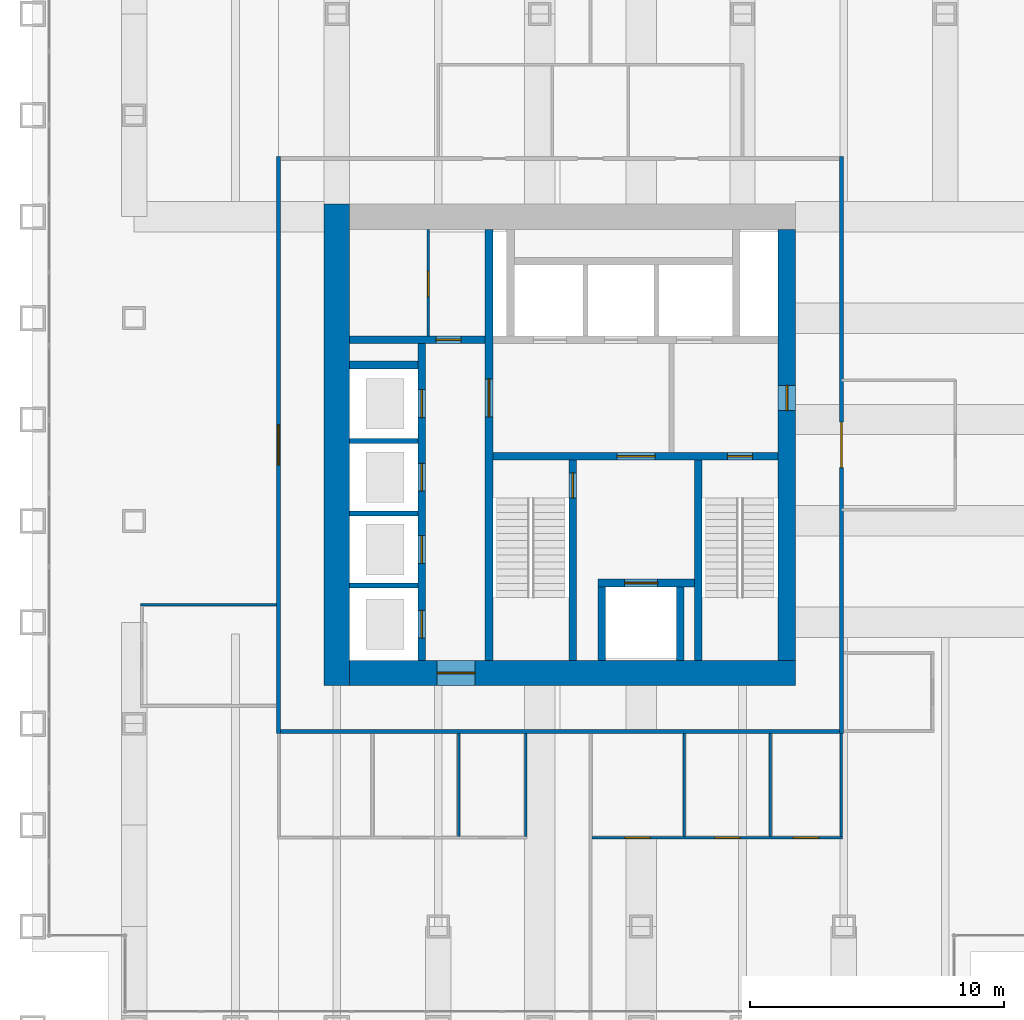
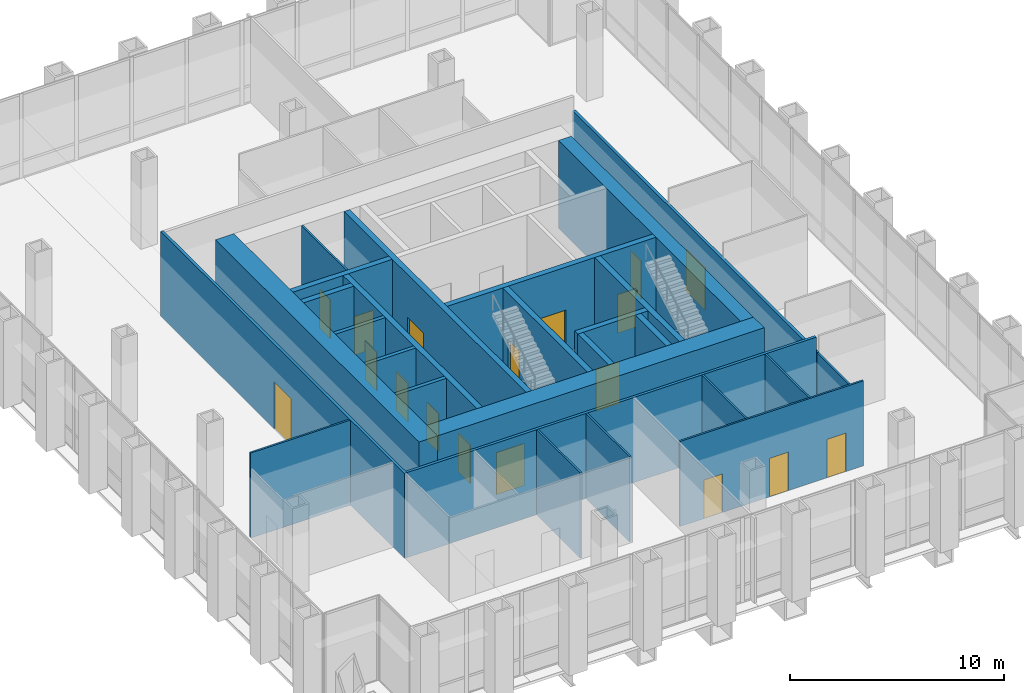
# One storey, part 10 of 13: 27 walls, 18 doors, 18 openings.
"""IFC4 building model written with IfcOpenShell, lengths in metres."""

from ifc_helpers import new_model, si_unit, direction, frame, frame_2d, origin, place, context, subcontext, project, spatial, rectangle, extrude, material, layer, layer_set, type_object, element, fill, save


model = new_model("IFC4")

# Units and contexts
model_context = context("Model", 3, precision=1e-05, world=origin(), true_north=direction((0.0, 1.0)))
body_context = subcontext(model_context, "Body", "Model", "MODEL_VIEW")
ifc_project = project(units=[si_unit("LENGTHUNIT", "METRE"), si_unit("AREAUNIT", "SQUARE_METRE"), si_unit("VOLUMEUNIT", "CUBIC_METRE"), si_unit("PLANEANGLEUNIT", "RADIAN"), si_unit("MASSUNIT", "GRAM", prefix="KILO")], contexts=[model_context])

# Site, building, storey
site_placement = place(None, origin())
site = spatial("IfcSite", under=ifc_project, at=site_placement, CompositionType="ELEMENT")
building_placement = place(site_placement, origin())
building = spatial("IfcBuilding", under=site, at=building_placement, Name="Rimbunsela Tower", CompositionType="ELEMENT")
storey_placement = place(building_placement, frame((0.0, 0.0, 142.800048828125)))
storey = spatial("IfcBuildingStorey", under=building, at=storey_placement, Name="L34", CompositionType="ELEMENT", Elevation=142.800048828125)

# Wall, opening, door
ifc_material_1 = material(Name="Concrete fc' 80 MPa", Category="concrete")
ifc_layer_1 = layer(ifc_material_1, 0.300048828125)
ifc_layer_set_1 = layer_set([ifc_layer_1], Name="Core internal wall 300")
wall_type_1 = type_object("IfcWallType", Name="Core internal wall 300", PredefinedType="SHEAR", material=ifc_layer_set_1)
wall_1_placement = place(storey_placement, frame((24.0, 18.5, -0.150146484375), z_axis=(0.0, 0.0, 1.0), x_axis=(0.0, 1.0, 0.0)))
wall_1 = element("IfcWall", 1, at=wall_1_placement, inside=storey, type_object=wall_type_1, Name="Core wall at stair A", PredefinedType="SHEAR", context=body_context, shape_type="SweptSolid", body=[
    extrude(rectangle(XDim=17.0, YDim=0.300048828125, at=frame_2d((8.5, 0.0))), origin(), (0.0, 0.0, 1.0), 5.0),
])
opening_1_placement = place(wall_1_placement, frame((9.60009765625, 0.0, 0.14990234375)))
opening_1 = element("IfcOpeningElement", 2, at=opening_1_placement, cuts=wall_1, Name="Opening D03", PredefinedType="OPENING", context=body_context, shape_type="SweptSolid", body=[
    extrude(rectangle(XDim=1.5, YDim=2.39990234375, at=frame_2d((0.75, 1.199951171875))), frame((0.0, 0.159912109375, 0.0), z_axis=(0.0, -1.0, 0.0), x_axis=(1.0, 0.0, 0.0)), (0.0, 0.0, 1.0), 0.320068359375),
])
ifc_material_2 = material(Name="Steel door, fire rated", Category="steel")
door_type_1 = type_object("IfcDoorType", Name="Core lobby door 1500", OperationType="DOUBLE_DOOR_DOUBLE_SWING", PredefinedType="DOOR", material=ifc_material_2)
door_1_placement = place(opening_1_placement, origin())
door_1 = element("IfcDoor", 3, at=door_1_placement, inside=storey, type_object=door_type_1, Name="West lobby door", OperationType="DOUBLE_DOOR_DOUBLE_SWING", OverallHeight=2.39990234375, OverallWidth=1.5, PredefinedType="DOOR", context=body_context, shape_type="SweptSolid", body=[
    extrude(rectangle(XDim=1.5, YDim=2.39990234375, at=frame_2d((0.75, 1.199951171875))), frame((0.0, 0.02490234375, 0.0), z_axis=(0.0, -1.0, 0.0), x_axis=(1.0, 0.0, 0.0)), (0.0, 0.0, 1.0), 0.050048828125),
])
fill(opening_1, door_1)

# Wall, openings, doors
wall_2_placement = place(storey_placement, frame((24.14990234375, 26.550048828125, -0.150146484375), z_axis=(0.0, 0.0, 1.0), x_axis=(1.0, 0.0, 0.0)))
wall_2 = element("IfcWall", 4, at=wall_2_placement, inside=storey, type_object=wall_type_1, Name="Core wall lobby south", PredefinedType="SHEAR", context=body_context, shape_type="SweptSolid", body=[
    extrude(rectangle(XDim=11.25, YDim=0.300048828125, at=frame_2d((5.625, 0.0))), origin(), (0.0, 0.0, 1.0), 5.0),
])
opening_2_placement = place(wall_2_placement, frame((9.25, 0.0, 0.14990234375)))
opening_2 = element("IfcOpeningElement", 5, at=opening_2_placement, cuts=wall_2, Name="Opening D01", PredefinedType="OPENING", context=body_context, shape_type="SweptSolid", body=[
    extrude(rectangle(XDim=1.0, YDim=2.199951171875, at=frame_2d((0.5, 1.10009765625))), frame((0.0, 0.159912109375, 0.0), z_axis=(0.0, -1.0, 0.0), x_axis=(1.0, 0.0, 0.0)), (0.0, 0.0, 1.0), 0.320068359375),
])
opening_3_placement = place(wall_2_placement, frame((4.89990234375, 0.0, 0.14990234375)))
opening_3 = element("IfcOpeningElement", 6, at=opening_3_placement, cuts=wall_2, Name="Opening D03", PredefinedType="OPENING", context=body_context, shape_type="SweptSolid", body=[
    extrude(rectangle(XDim=1.5, YDim=2.39990234375, at=frame_2d((0.75, 1.199951171875))), frame((0.0, 0.159912109375, 0.0), z_axis=(0.0, -1.0, 0.0), x_axis=(1.0, 0.0, 0.0)), (0.0, 0.0, 1.0), 0.320068359375),
])
door_2_placement = place(opening_3_placement, origin())
door_2 = element("IfcDoor", 7, at=door_2_placement, inside=storey, type_object=door_type_1, Name="Firefighting lobby door", OperationType="DOUBLE_DOOR_DOUBLE_SWING", OverallHeight=2.39990234375, OverallWidth=1.5, PredefinedType="DOOR", context=body_context, shape_type="SweptSolid", body=[
    extrude(rectangle(XDim=1.5, YDim=2.39990234375, at=frame_2d((0.75, 1.199951171875))), frame((0.0, 0.02490234375, 0.0), z_axis=(0.0, -1.0, 0.0), x_axis=(1.0, 0.0, 0.0)), (0.0, 0.0, 1.0), 0.050048828125),
])
fill(opening_3, door_2)
ifc_material_3 = material(Name="Steel door, fire rated", Category="steel")
door_type_2 = type_object("IfcDoorType", Name="Stair door 1000", OperationType="SINGLE_SWING_RIGHT", PredefinedType="DOOR", material=ifc_material_3)
door_3_placement = place(opening_2_placement, frame((1.0, 0.0, 0.0), z_axis=(0.0, 0.0, 1.0), x_axis=(-1.0, 0.0, 0.0)))
door_3 = element("IfcDoor", 8, at=door_3_placement, inside=storey, type_object=door_type_2, Name="Stair B door", OperationType="SINGLE_SWING_RIGHT", OverallHeight=2.199951171875, OverallWidth=1.0, PredefinedType="DOOR", context=body_context, shape_type="SweptSolid", body=[
    extrude(rectangle(XDim=1.0, YDim=2.199951171875, at=frame_2d((0.5, 1.10009765625))), frame((0.0, 0.02490234375, 0.0), z_axis=(0.0, -1.0, 0.0), x_axis=(1.0, 0.0, 0.0)), (0.0, 0.0, 1.0), 0.050048828125),
])
fill(opening_2, door_3)

# Wall, opening, door
wall_3_placement = place(storey_placement, frame((27.300048828125, 18.5, -0.150146484375), z_axis=(0.0, 0.0, 1.0), x_axis=(0.0, 1.0, 0.0)))
wall_3 = element("IfcWall", 9, at=wall_3_placement, inside=storey, type_object=wall_type_1, Name="Stair A enclosure", PredefinedType="SHEAR", context=body_context, shape_type="SweptSolid", body=[
    extrude(rectangle(XDim=7.89990234375, YDim=0.300048828125, at=frame_2d((3.949951171875, 0.0))), origin(), (0.0, 0.0, 1.0), 5.0),
])
opening_4_placement = place(wall_3_placement, frame((6.39990234375, 0.0, 0.14990234375)))
opening_4 = element("IfcOpeningElement", 10, at=opening_4_placement, cuts=wall_3, Name="Opening D01", PredefinedType="OPENING", context=body_context, shape_type="SweptSolid", body=[
    extrude(rectangle(XDim=1.0, YDim=2.199951171875, at=frame_2d((0.5, 1.10009765625))), frame((0.0, 0.159912109375, 0.0), z_axis=(0.0, -1.0, 0.0), x_axis=(1.0, 0.0, 0.0)), (0.0, 0.0, 1.0), 0.320068359375),
])
door_4_placement = place(opening_4_placement, origin())
door_4 = element("IfcDoor", 11, at=door_4_placement, inside=storey, type_object=door_type_2, Name="Stair A door", OperationType="SINGLE_SWING_RIGHT", OverallHeight=2.199951171875, OverallWidth=1.0, PredefinedType="DOOR", context=body_context, shape_type="SweptSolid", body=[
    extrude(rectangle(XDim=1.0, YDim=2.199951171875, at=frame_2d((0.5, 1.10009765625))), frame((0.0, 0.02490234375, 0.0), z_axis=(0.0, -1.0, 0.0), x_axis=(1.0, 0.0, 0.0)), (0.0, 0.0, 1.0), 0.050048828125),
])
fill(opening_4, door_4)

# Walls
wall_4_placement = place(storey_placement, frame((32.25, 18.5, -0.150146484375), z_axis=(0.0, 0.0, 1.0), x_axis=(0.0, 1.0, 0.0)))
element("IfcWall", 12, at=wall_4_placement, inside=storey, type_object=wall_type_1, Name="Stair B enclosure", PredefinedType="SHEAR", context=body_context, shape_type="SweptSolid", body=[
    extrude(rectangle(XDim=7.89990234375, YDim=0.300048828125, at=frame_2d((3.949951171875, 0.0))), origin(), (0.0, 0.0, 1.0), 5.0),
])
for number, where, z_axis, x_axis, name in (
    (13, (28.449951171875, 18.5, -0.150146484375), (0.0, 0.0, 1.0), (0.0, 1.0, 0.0), "Firefighting lift shaft west"),
    (14, (31.550048828125, 18.5, -0.150146484375), (0.0, 0.0, 1.0), (0.0, 1.0, 0.0), "Firefighting lift shaft east"),
):
    element("IfcWall", number, at=place(storey_placement, frame(where, z_axis=z_axis, x_axis=x_axis)), inside=storey, type_object=wall_type_1, Name=name, PredefinedType="SHEAR", context=body_context, shape_type="SweptSolid", body=[
        extrude(rectangle(XDim=2.89990234375, YDim=0.300048828125, at=frame_2d((1.449951171875, 0.0))), origin(), (0.0, 0.0, 1.0), 5.0),
    ])

# Wall, opening, door
wall_5_placement = place(storey_placement, frame((28.300048828125, 21.550048828125, -0.150146484375), z_axis=(0.0, 0.0, 1.0), x_axis=(1.0, 0.0, 0.0)))
wall_5 = element("IfcWall", 15, at=wall_5_placement, inside=storey, type_object=wall_type_1, Name="Firefighting lift shaft front", PredefinedType="SHEAR", context=body_context, shape_type="SweptSolid", body=[
    extrude(rectangle(XDim=3.800048828125, YDim=0.300048828125, at=frame_2d((1.89990234375, 0.0))), origin(), (0.0, 0.0, 1.0), 5.0),
])
opening_5_placement = place(wall_5_placement, frame((1.050048828125, 0.0, 0.14990234375)))
opening_5 = element("IfcOpeningElement", 16, at=opening_5_placement, cuts=wall_5, Name="Opening LD2", PredefinedType="OPENING", context=body_context, shape_type="SweptSolid", body=[
    extrude(rectangle(XDim=1.300048828125, YDim=2.39990234375, at=frame_2d((0.64990234375, 1.199951171875))), frame((0.0, 0.159912109375, 0.0), z_axis=(0.0, -1.0, 0.0), x_axis=(1.0, 0.0, 0.0)), (0.0, 0.0, 1.0), 0.320068359375),
])
ifc_material_4 = material(Name="Steel door, fire rated", Category="steel")
door_type_3 = type_object("IfcDoorType", Name="Lift landing door 1300", OperationType="DOUBLE_DOOR_SLIDING", PredefinedType="DOOR", material=ifc_material_4)
door_5_placement = place(opening_5_placement, origin())
door_5 = element("IfcDoor", 17, at=door_5_placement, inside=storey, type_object=door_type_3, Name="Lift landing door FL1", OperationType="DOUBLE_DOOR_SLIDING", OverallHeight=2.39990234375, OverallWidth=1.300048828125, PredefinedType="DOOR", context=body_context, shape_type="SweptSolid", body=[
    extrude(rectangle(XDim=1.300048828125, YDim=2.39990234375, at=frame_2d((0.64990234375, 1.199951171875))), frame((0.0, 0.02490234375, 0.0), z_axis=(0.0, -1.0, 0.0), x_axis=(1.0, 0.0, 0.0)), (0.0, 0.0, 1.0), 0.050048828125),
])
fill(opening_5, door_5)

# Wall, openings, doors
wall_6_placement = place(storey_placement, frame((21.35009765625, 18.5, -0.150146484375), z_axis=(0.0, 0.0, 1.0), x_axis=(0.0, 1.0, 0.0)))
wall_6 = element("IfcWall", 18, at=wall_6_placement, inside=storey, type_object=wall_type_1, Name="Lift shaft front west", PredefinedType="SHEAR", context=body_context, shape_type="SweptSolid", body=[
    extrude(rectangle(XDim=12.5, YDim=0.300048828125, at=frame_2d((6.25, 0.0))), origin(), (0.0, 0.0, 1.0), 5.0),
])
opening_6_placement = place(wall_6_placement, frame((0.875, 0.0, 0.14990234375)))
opening_6 = element("IfcOpeningElement", 19, at=opening_6_placement, cuts=wall_6, Name="Opening LD1", PredefinedType="OPENING", context=body_context, shape_type="SweptSolid", body=[
    extrude(rectangle(XDim=1.10009765625, YDim=2.199951171875, at=frame_2d((0.550048828125, 1.10009765625))), frame((0.0, 0.159912109375, 0.0), z_axis=(0.0, -1.0, 0.0), x_axis=(1.0, 0.0, 0.0)), (0.0, 0.0, 1.0), 0.320068359375),
])
opening_7_placement = place(wall_6_placement, frame((3.824951171875, 0.0, 0.14990234375)))
opening_7 = element("IfcOpeningElement", 20, at=opening_7_placement, cuts=wall_6, Name="Opening LD1", PredefinedType="OPENING", context=body_context, shape_type="SweptSolid", body=[
    extrude(rectangle(XDim=1.10009765625, YDim=2.199951171875, at=frame_2d((0.550048828125, 1.10009765625))), frame((0.0, 0.159912109375, 0.0), z_axis=(0.0, -1.0, 0.0), x_axis=(1.0, 0.0, 0.0)), (0.0, 0.0, 1.0), 0.320068359375),
])
opening_8_placement = place(wall_6_placement, frame((6.675048828125, 0.0, 0.14990234375)))
opening_8 = element("IfcOpeningElement", 21, at=opening_8_placement, cuts=wall_6, Name="Opening LD1", PredefinedType="OPENING", context=body_context, shape_type="SweptSolid", body=[
    extrude(rectangle(XDim=1.10009765625, YDim=2.199951171875, at=frame_2d((0.550048828125, 1.10009765625))), frame((0.0, 0.159912109375, 0.0), z_axis=(0.0, -1.0, 0.0), x_axis=(1.0, 0.0, 0.0)), (0.0, 0.0, 1.0), 0.320068359375),
])
opening_9_placement = place(wall_6_placement, frame((9.574951171875, 0.0, 0.14990234375)))
opening_9 = element("IfcOpeningElement", 22, at=opening_9_placement, cuts=wall_6, Name="Opening LD1", PredefinedType="OPENING", context=body_context, shape_type="SweptSolid", body=[
    extrude(rectangle(XDim=1.10009765625, YDim=2.199951171875, at=frame_2d((0.550048828125, 1.10009765625))), frame((0.0, 0.159912109375, 0.0), z_axis=(0.0, -1.0, 0.0), x_axis=(1.0, 0.0, 0.0)), (0.0, 0.0, 1.0), 0.320068359375),
])
ifc_material_5 = material(Name="Steel door, fire rated", Category="steel")
door_type_4 = type_object("IfcDoorType", Name="Lift landing door 1100", OperationType="DOUBLE_DOOR_SLIDING", PredefinedType="DOOR", material=ifc_material_5)
door_6_placement = place(opening_6_placement, origin())
door_6 = element("IfcDoor", 23, at=door_6_placement, inside=storey, type_object=door_type_4, Name="Lift landing door HL1", OperationType="DOUBLE_DOOR_SLIDING", OverallHeight=2.199951171875, OverallWidth=1.10009765625, PredefinedType="DOOR", context=body_context, shape_type="SweptSolid", body=[
    extrude(rectangle(XDim=1.10009765625, YDim=2.199951171875, at=frame_2d((0.550048828125, 1.10009765625))), frame((0.0, 0.02490234375, 0.0), z_axis=(0.0, -1.0, 0.0), x_axis=(1.0, 0.0, 0.0)), (0.0, 0.0, 1.0), 0.050048828125),
])
fill(opening_6, door_6)
door_7_placement = place(opening_7_placement, origin())
door_7 = element("IfcDoor", 24, at=door_7_placement, inside=storey, type_object=door_type_4, Name="Lift landing door HL2", OperationType="DOUBLE_DOOR_SLIDING", OverallHeight=2.199951171875, OverallWidth=1.10009765625, PredefinedType="DOOR", context=body_context, shape_type="SweptSolid", body=[
    extrude(rectangle(XDim=1.10009765625, YDim=2.199951171875, at=frame_2d((0.550048828125, 1.10009765625))), frame((0.0, 0.02490234375, 0.0), z_axis=(0.0, -1.0, 0.0), x_axis=(1.0, 0.0, 0.0)), (0.0, 0.0, 1.0), 0.050048828125),
])
fill(opening_7, door_7)
door_8_placement = place(opening_8_placement, origin())
door_8 = element("IfcDoor", 25, at=door_8_placement, inside=storey, type_object=door_type_4, Name="Lift landing door HL3", OperationType="DOUBLE_DOOR_SLIDING", OverallHeight=2.199951171875, OverallWidth=1.10009765625, PredefinedType="DOOR", context=body_context, shape_type="SweptSolid", body=[
    extrude(rectangle(XDim=1.10009765625, YDim=2.199951171875, at=frame_2d((0.550048828125, 1.10009765625))), frame((0.0, 0.02490234375, 0.0), z_axis=(0.0, -1.0, 0.0), x_axis=(1.0, 0.0, 0.0)), (0.0, 0.0, 1.0), 0.050048828125),
])
fill(opening_8, door_8)
door_9_placement = place(opening_9_placement, origin())
door_9 = element("IfcDoor", 26, at=door_9_placement, inside=storey, type_object=door_type_4, Name="Lift landing door HL4", OperationType="DOUBLE_DOOR_SLIDING", OverallHeight=2.199951171875, OverallWidth=1.10009765625, PredefinedType="DOOR", context=body_context, shape_type="SweptSolid", body=[
    extrude(rectangle(XDim=1.10009765625, YDim=2.199951171875, at=frame_2d((0.550048828125, 1.10009765625))), frame((0.0, 0.02490234375, 0.0), z_axis=(0.0, -1.0, 0.0), x_axis=(1.0, 0.0, 0.0)), (0.0, 0.0, 1.0), 0.050048828125),
])
fill(opening_9, door_9)

# Wall, opening, door
wall_7_placement = place(storey_placement, frame((18.5, 31.14990234375, -0.150146484375), z_axis=(0.0, 0.0, 1.0), x_axis=(1.0, 0.0, 0.0)))
wall_7 = element("IfcWall", 27, at=wall_7_placement, inside=storey, type_object=wall_type_1, Name="Store wall", PredefinedType="SHEAR", context=body_context, shape_type="SweptSolid", body=[
    extrude(rectangle(XDim=5.35009765625, YDim=0.300048828125, at=frame_2d((2.675048828125, 0.0))), origin(), (0.0, 0.0, 1.0), 5.0),
])
opening_10_placement = place(wall_7_placement, frame((3.39990234375, 0.0, 0.14990234375)))
opening_10 = element("IfcOpeningElement", 28, at=opening_10_placement, cuts=wall_7, Name="Opening D19", PredefinedType="OPENING", context=body_context, shape_type="SweptSolid", body=[
    extrude(rectangle(XDim=1.0, YDim=2.199951171875, at=frame_2d((0.5, 1.10009765625))), frame((0.0, 0.159912109375, 0.0), z_axis=(0.0, -1.0, 0.0), x_axis=(1.0, 0.0, 0.0)), (0.0, 0.0, 1.0), 0.320068359375),
])
ifc_material_6 = material(Name="Steel door, fire rated", Category="steel")
door_type_5 = type_object("IfcDoorType", Name="Service door 1000 fire rated", OperationType="SINGLE_SWING_LEFT", PredefinedType="DOOR", material=ifc_material_6)
door_10_placement = place(opening_10_placement, origin())
door_10 = element("IfcDoor", 29, at=door_10_placement, inside=storey, type_object=door_type_5, Name="Staff pantry door", OperationType="SINGLE_SWING_LEFT", OverallHeight=2.199951171875, OverallWidth=1.0, PredefinedType="DOOR", context=body_context, shape_type="SweptSolid", body=[
    extrude(rectangle(XDim=1.0, YDim=2.199951171875, at=frame_2d((0.5, 1.10009765625))), frame((0.0, 0.02490234375, 0.0), z_axis=(0.0, -1.0, 0.0), x_axis=(1.0, 0.0, 0.0)), (0.0, 0.0, 1.0), 0.050048828125),
])
fill(opening_10, door_10)

# Wall
wall_8_placement = place(storey_placement, frame((18.5, 30.14990234375, -0.150146484375), z_axis=(0.0, 0.0, 1.0), x_axis=(1.0, 0.0, 0.0)))
element("IfcWall", 30, at=wall_8_placement, inside=storey, type_object=wall_type_1, Name="Lift shaft rear west", PredefinedType="SHEAR", context=body_context, shape_type="SweptSolid", body=[
    extrude(rectangle(XDim=2.699951171875, YDim=0.300048828125, at=frame_2d((1.35009765625, 0.0))), origin(), (0.0, 0.0, 1.0), 5.0),
])

# Wall, opening, door
ifc_material_7 = material(Name="Concrete blockwork", Category="masonry")
ifc_layer_2 = layer(ifc_material_7, 0.10009765625)
ifc_layer_set_2 = layer_set([ifc_layer_2], Name="Core room partition 100")
wall_type_2 = type_object("IfcWallType", Name="Core room partition 100", PredefinedType="PARTITIONING", material=ifc_layer_set_2)
wall_9_placement = place(storey_placement, frame((21.60009765625, 31.300048828125, 0.0), z_axis=(0.0, 0.0, 1.0), x_axis=(0.0, 1.0, 0.0)))
wall_9 = element("IfcWall", 31, at=wall_9_placement, inside=storey, type_object=wall_type_2, Name="Tenant store wall", PredefinedType="PARTITIONING", context=body_context, shape_type="SweptSolid", body=[
    extrude(rectangle(XDim=4.199951171875, YDim=0.10009765625, at=frame_2d((2.10009765625, 0.0))), origin(), (0.0, 0.0, 1.0), 4.849853515625),
])
opening_11_placement = place(wall_9_placement, frame((1.550048828125, 0.0, 0.0)))
opening_11 = element("IfcOpeningElement", 32, at=opening_11_placement, cuts=wall_9, Name="Opening D19", PredefinedType="OPENING", context=body_context, shape_type="SweptSolid", body=[
    extrude(rectangle(XDim=1.0, YDim=2.199951171875, at=frame_2d((0.5, 1.10009765625))), frame((0.0, 0.06005859375, 0.0), z_axis=(0.0, -1.0, 0.0), x_axis=(1.0, 0.0, 0.0)), (0.0, 0.0, 1.0), 0.1201171875),
])
door_11_placement = place(opening_11_placement, origin())
door_11 = element("IfcDoor", 33, at=door_11_placement, inside=storey, type_object=door_type_5, Name="Tenant store door", OperationType="SINGLE_SWING_LEFT", OverallHeight=2.199951171875, OverallWidth=1.0, PredefinedType="DOOR", context=body_context, shape_type="SweptSolid", body=[
    extrude(rectangle(XDim=1.0, YDim=2.199951171875, at=frame_2d((0.5, 1.10009765625))), frame((0.0, 0.02490234375, 0.0), z_axis=(0.0, -1.0, 0.0), x_axis=(1.0, 0.0, 0.0)), (0.0, 0.0, 1.0), 0.050048828125),
])
fill(opening_11, door_11)

# Wall
ifc_material_8 = material(Name="Concrete fc' 80 MPa", Category="concrete")
ifc_layer_3 = layer(ifc_material_8, 1.0)
ifc_layer_set_3 = layer_set([ifc_layer_3], Name="Core wall 1000")
wall_type_3 = type_object("IfcWallType", Name="Core wall 1000", PredefinedType="SHEAR", material=ifc_layer_set_3)
wall_10_placement = place(storey_placement, frame((18.0, 17.5, -0.150146484375), z_axis=(0.0, 0.0, 1.0), x_axis=(0.0, 1.0, 0.0)))
element("IfcWall", 34, at=wall_10_placement, inside=storey, type_object=wall_type_3, Name="Core wall west", PredefinedType="SHEAR", context=body_context, shape_type="SweptSolid", body=[
    extrude(rectangle(XDim=19.0, YDim=1.0, at=frame_2d((9.5, 0.0))), origin(), (0.0, 0.0, 1.0), 5.0),
])

# Wall, opening, door
wall_11_placement = place(storey_placement, frame((18.5, 18.0, -0.150146484375), z_axis=(0.0, 0.0, 1.0), x_axis=(1.0, 0.0, 0.0)))
wall_11 = element("IfcWall", 35, at=wall_11_placement, inside=storey, type_object=wall_type_3, Name="Core wall south", PredefinedType="SHEAR", context=body_context, shape_type="SweptSolid", body=[
    extrude(rectangle(XDim=17.60009765625, YDim=1.0, at=frame_2d((8.800048828125, 0.0))), origin(), (0.0, 0.0, 1.0), 5.0),
])
opening_12_placement = place(wall_11_placement, frame((3.449951171875, 0.0, 0.14990234375)))
opening_12 = element("IfcOpeningElement", 36, at=opening_12_placement, cuts=wall_11, Name="Opening D03", PredefinedType="OPENING", context=body_context, shape_type="SweptSolid", body=[
    extrude(rectangle(XDim=1.5, YDim=2.39990234375, at=frame_2d((0.75, 1.199951171875))), frame((0.0, 0.510009765625, 0.0), z_axis=(0.0, -1.0, 0.0), x_axis=(1.0, 0.0, 0.0)), (0.0, 0.0, 1.0), 1.02001953125),
])
door_12_placement = place(opening_12_placement, origin())
door_12 = element("IfcDoor", 37, at=door_12_placement, inside=storey, type_object=door_type_1, Name="Core door south", OperationType="DOUBLE_DOOR_DOUBLE_SWING", OverallHeight=2.39990234375, OverallWidth=1.5, PredefinedType="DOOR", context=body_context, shape_type="SweptSolid", body=[
    extrude(rectangle(XDim=1.5, YDim=2.39990234375, at=frame_2d((0.75, 1.199951171875))), frame((0.0, 0.02490234375, 0.0), z_axis=(0.0, -1.0, 0.0), x_axis=(1.0, 0.0, 0.0)), (0.0, 0.0, 1.0), 0.050048828125),
])
fill(opening_12, door_12)

ifc_material_9 = material(Name="Concrete fc' 80 MPa", Category="concrete")
ifc_layer_4 = layer(ifc_material_9, 0.699951171875)
ifc_layer_set_4 = layer_set([ifc_layer_4], Name="Core wall 700 east")
wall_type_4 = type_object("IfcWallType", Name="Core wall 700 east", PredefinedType="SHEAR", material=ifc_layer_set_4)
wall_12_placement = place(storey_placement, frame((35.75, 18.5, -0.150146484375), z_axis=(0.0, 0.0, 1.0), x_axis=(0.0, 1.0, 0.0)))
wall_12 = element("IfcWall", 38, at=wall_12_placement, inside=storey, type_object=wall_type_4, Name="Core wall east", PredefinedType="SHEAR", context=body_context, shape_type="SweptSolid", body=[
    extrude(rectangle(XDim=17.0, YDim=0.699951171875, at=frame_2d((8.5, 0.0))), origin(), (0.0, 0.0, 1.0), 5.0),
])
opening_13_placement = place(wall_12_placement, frame((9.85009765625, 0.0, 0.14990234375)))
opening_13 = element("IfcOpeningElement", 39, at=opening_13_placement, cuts=wall_12, Name="Opening D01", PredefinedType="OPENING", context=body_context, shape_type="SweptSolid", body=[
    extrude(rectangle(XDim=1.0, YDim=2.199951171875, at=frame_2d((0.5, 1.10009765625))), frame((0.0, 0.35986328125, 0.0), z_axis=(0.0, -1.0, 0.0), x_axis=(1.0, 0.0, 0.0)), (0.0, 0.0, 1.0), 0.719970703125),
])
door_13_placement = place(opening_13_placement, origin())
door_13 = element("IfcDoor", 40, at=door_13_placement, inside=storey, type_object=door_type_2, Name="Firefighting lobby 2 door", OperationType="SINGLE_SWING_RIGHT", OverallHeight=2.199951171875, OverallWidth=1.0, PredefinedType="DOOR", context=body_context, shape_type="SweptSolid", body=[
    extrude(rectangle(XDim=1.0, YDim=2.199951171875, at=frame_2d((0.5, 1.10009765625))), frame((0.0, 0.02490234375, 0.0), z_axis=(0.0, -1.0, 0.0), x_axis=(1.0, 0.0, 0.0)), (0.0, 0.0, 1.0), 0.050048828125),
])
fill(opening_13, door_13)

# Walls
ifc_material_10 = material(Name="Concrete blockwork", Category="masonry")
ifc_layer_5 = layer(ifc_material_10, 0.199951171875)
ifc_layer_set_5 = layer_set([ifc_layer_5], Name="Lift shaft wall 200")
wall_type_5 = type_object("IfcWallType", Name="Lift shaft wall 200", PredefinedType="SOLIDWALL", material=ifc_layer_set_5)
for number, where, z_axis, x_axis, name in (
    (41, (18.5, 21.449951171875, -0.150146484375), (0.0, 0.0, 1.0), (1.0, 0.0, 0.0), "Lift shaft separation"),
    (42, (18.5, 24.300048828125, -0.150146484375), (0.0, 0.0, 1.0), (1.0, 0.0, 0.0), "Lift shaft separation"),
    (43, (18.5, 27.14990234375, -0.150146484375), (0.0, 0.0, 1.0), (1.0, 0.0, 0.0), "Lift shaft separation"),
):
    element("IfcWall", number, at=place(storey_placement, frame(where, z_axis=z_axis, x_axis=x_axis)), inside=storey, type_object=wall_type_5, Name=name, PredefinedType="SOLIDWALL", context=body_context, shape_type="SweptSolid", body=[
        extrude(rectangle(XDim=2.699951171875, YDim=0.199951171875, at=frame_2d((1.35009765625, 0.0))), origin(), (0.0, 0.0, 1.0), 5.0),
    ])

# Wall, openings, doors
ifc_material_11 = material(Name="Gypsum board on steel studs", Category="steel")
ifc_layer_6 = layer(ifc_material_11, 0.10009765625)
ifc_layer_set_6 = layer_set([ifc_layer_6], Name="Office partition 100")
wall_type_6 = type_object("IfcWallType", Name="Office partition 100", PredefinedType="PARTITIONING", material=ifc_layer_set_6)
wall_13_placement = place(storey_placement, frame((28.06103515625, 11.5, 0.0), z_axis=(0.0, 0.0, 1.0), x_axis=(1.0, 0.0, 0.0)))
wall_13 = element("IfcWall", 44, at=wall_13_placement, inside=storey, type_object=wall_type_6, Name="Office partition", PredefinedType="PARTITIONING", context=body_context, shape_type="SweptSolid", body=[
    extrude(rectangle(XDim=9.888916015625, YDim=0.10009765625, at=frame_2d((4.9443359375, 0.0))), origin(), (0.0, 0.0, 1.0), 4.849853515625),
])
opening_14_placement = place(wall_13_placement, frame((1.2900390625, 0.0, 0.0)))
opening_14 = element("IfcOpeningElement", 45, at=opening_14_placement, cuts=wall_13, Name="Opening D17", PredefinedType="OPENING", context=body_context, shape_type="SweptSolid", body=[
    extrude(rectangle(XDim=1.0, YDim=2.199951171875, at=frame_2d((0.5, 1.10009765625))), frame((0.0, 0.06005859375, 0.0), z_axis=(0.0, -1.0, 0.0), x_axis=(1.0, 0.0, 0.0)), (0.0, 0.0, 1.0), 0.1201171875),
])
opening_15_placement = place(wall_13_placement, frame((4.840087890625, 0.0, 0.0)))
opening_15 = element("IfcOpeningElement", 46, at=opening_15_placement, cuts=wall_13, Name="Opening D16", PredefinedType="OPENING", context=body_context, shape_type="SweptSolid", body=[
    extrude(rectangle(XDim=1.0, YDim=2.199951171875, at=frame_2d((0.5, 1.10009765625))), frame((0.0, 0.06005859375, 0.0), z_axis=(0.0, -1.0, 0.0), x_axis=(1.0, 0.0, 0.0)), (0.0, 0.0, 1.0), 0.1201171875),
])
opening_16_placement = place(wall_13_placement, frame((7.939453125, 0.0, 0.0)))
opening_16 = element("IfcOpeningElement", 47, at=opening_16_placement, cuts=wall_13, Name="Opening D16", PredefinedType="OPENING", context=body_context, shape_type="SweptSolid", body=[
    extrude(rectangle(XDim=1.0, YDim=2.199951171875, at=frame_2d((0.5, 1.10009765625))), frame((0.0, 0.06005859375, 0.0), z_axis=(0.0, -1.0, 0.0), x_axis=(1.0, 0.0, 0.0)), (0.0, 0.0, 1.0), 0.1201171875),
])
ifc_material_12 = material(Name="Glazed aluminium door", Category="aluminium")
door_type_6 = type_object("IfcDoorType", Name="Meeting room door 1000 glazed", OperationType="SINGLE_SWING_RIGHT", PredefinedType="DOOR", material=ifc_material_12)
door_14_placement = place(opening_14_placement, origin())
door_14 = element("IfcDoor", 48, at=door_14_placement, inside=storey, type_object=door_type_6, Name="Meeting room door", OperationType="SINGLE_SWING_RIGHT", OverallHeight=2.199951171875, OverallWidth=1.0, PredefinedType="DOOR", context=body_context, shape_type="SweptSolid", body=[
    extrude(rectangle(XDim=1.0, YDim=2.199951171875, at=frame_2d((0.5, 1.10009765625))), frame((0.0, 0.02490234375, 0.0), z_axis=(0.0, -1.0, 0.0), x_axis=(1.0, 0.0, 0.0)), (0.0, 0.0, 1.0), 0.050048828125),
])
fill(opening_14, door_14)
ifc_material_13 = material(Name="Timber door", Category="wood")
door_type_7 = type_object("IfcDoorType", Name="Office door 1000", OperationType="SINGLE_SWING_LEFT", PredefinedType="DOOR", material=ifc_material_13)
door_15_placement = place(opening_15_placement, origin())
door_15 = element("IfcDoor", 49, at=door_15_placement, inside=storey, type_object=door_type_7, Name="Office door", OperationType="SINGLE_SWING_LEFT", OverallHeight=2.199951171875, OverallWidth=1.0, PredefinedType="DOOR", context=body_context, shape_type="SweptSolid", body=[
    extrude(rectangle(XDim=1.0, YDim=2.199951171875, at=frame_2d((0.5, 1.10009765625))), frame((0.0, 0.02490234375, 0.0), z_axis=(0.0, -1.0, 0.0), x_axis=(1.0, 0.0, 0.0)), (0.0, 0.0, 1.0), 0.050048828125),
])
fill(opening_15, door_15)
door_16_placement = place(opening_16_placement, origin())
door_16 = element("IfcDoor", 50, at=door_16_placement, inside=storey, type_object=door_type_7, Name="Office door", OperationType="SINGLE_SWING_LEFT", OverallHeight=2.199951171875, OverallWidth=1.0, PredefinedType="DOOR", context=body_context, shape_type="SweptSolid", body=[
    extrude(rectangle(XDim=1.0, YDim=2.199951171875, at=frame_2d((0.5, 1.10009765625))), frame((0.0, 0.02490234375, 0.0), z_axis=(0.0, -1.0, 0.0), x_axis=(1.0, 0.0, 0.0)), (0.0, 0.0, 1.0), 0.050048828125),
])
fill(opening_16, door_16)

# Walls
wall_14_placement = place(storey_placement, frame((10.25, 20.699951171875, 0.0), z_axis=(0.0, 0.0, 1.0), x_axis=(1.0, 0.0, 0.0)))
element("IfcWall", 51, at=wall_14_placement, inside=storey, type_object=wall_type_6, Name="Office partition", PredefinedType="PARTITIONING", context=body_context, shape_type="SweptSolid", body=[
    extrude(rectangle(XDim=5.375, YDim=0.10009765625, at=frame_2d((2.6875, 0.0))), origin(), (0.0, 0.0, 1.0), 4.849853515625),
])
for number, where, z_axis, x_axis, name in (
    (52, (22.800048828125, 11.550048828125, 0.0), (0.0, 0.0, 1.0), (0.0, 1.0, 0.0), "Office partition"),
    (53, (25.449951171875, 11.550048828125, 0.0), (0.0, 0.0, 1.0), (0.0, 1.0, 0.0), "Office partition"),
    (54, (31.700927734375, 11.550048828125, 0.0), (0.0, 0.0, 1.0), (0.0, 1.0, 0.0), "Office partition"),
    (55, (35.10107421875, 11.550048828125, 0.0), (0.0, 0.0, 1.0), (0.0, 1.0, 0.0), "Office partition"),
):
    element("IfcWall", number, at=place(storey_placement, frame(where, z_axis=z_axis, x_axis=x_axis)), inside=storey, type_object=wall_type_6, Name=name, PredefinedType="PARTITIONING", context=body_context, shape_type="SweptSolid", body=[
        extrude(rectangle(XDim=4.074951171875, YDim=0.10009765625, at=frame_2d((2.03759765625, 0.0))), origin(), (0.0, 0.0, 1.0), 4.849853515625),
    ])
wall_15_placement = place(storey_placement, frame((37.89990234375, 11.550048828125, 0.0), z_axis=(0.0, 0.0, 1.0), x_axis=(0.0, 1.0, 0.0)))
element("IfcWall", 56, at=wall_15_placement, inside=storey, type_object=wall_type_6, Name="Office partition", PredefinedType="PARTITIONING", context=body_context, shape_type="SweptSolid", body=[
    extrude(rectangle(XDim=4.074951171875, YDim=0.10009765625, at=frame_2d((2.03759765625, 0.0))), origin(), (0.0, 0.0, 1.0), 3.949951171875),
])

# Wall, opening, door
ifc_material_14 = material(Name="Fire-rated gypsum board on steel studs, EI 60", Category="steel")
ifc_layer_7 = layer(ifc_material_14, 0.14990234375)
ifc_layer_set_7 = layer_set([ifc_layer_7], Name="Rated corridor wall 150")
wall_type_7 = type_object("IfcWallType", Name="Rated corridor wall 150", PredefinedType="PARTITIONING", material=ifc_layer_set_7)
wall_16_placement = place(storey_placement, frame((15.699951171875, 15.625, 0.0), z_axis=(0.0, 0.0, 1.0), x_axis=(0.0, 1.0, 0.0)))
wall_16 = element("IfcWall", 57, at=wall_16_placement, inside=storey, type_object=wall_type_7, Name="Corridor wall west", PredefinedType="PARTITIONING", context=body_context, shape_type="SweptSolid", body=[
    extrude(rectangle(XDim=22.75, YDim=0.14990234375, at=frame_2d((11.375, 0.0))), origin(), (0.0, 0.0, 1.0), 4.849853515625),
])
opening_17_placement = place(wall_16_placement, frame((10.574951171875, 0.0, 0.0)))
opening_17 = element("IfcOpeningElement", 58, at=opening_17_placement, cuts=wall_16, Name="Opening D13", PredefinedType="OPENING", context=body_context, shape_type="SweptSolid", body=[
    extrude(rectangle(XDim=1.60009765625, YDim=2.699951171875, at=frame_2d((0.800048828125, 1.35009765625))), frame((0.0, 0.0849609375, 0.0), z_axis=(0.0, -1.0, 0.0), x_axis=(1.0, 0.0, 0.0)), (0.0, 0.0, 1.0), 0.169921875),
])
ifc_material_15 = material(Name="Glazed aluminium door, fire rated", Category="aluminium")
door_type_8 = type_object("IfcDoorType", Name="Sky lobby door 1600 glazed", OperationType="DOUBLE_DOOR_DOUBLE_SWING", PredefinedType="DOOR", material=ifc_material_15)
door_17_placement = place(opening_17_placement, origin())
door_17 = element("IfcDoor", 59, at=door_17_placement, inside=storey, type_object=door_type_8, Name="Sky lobby door", OperationType="DOUBLE_DOOR_DOUBLE_SWING", OverallHeight=2.699951171875, OverallWidth=1.60009765625, PredefinedType="DOOR", context=body_context, shape_type="SweptSolid", body=[
    extrude(rectangle(XDim=1.60009765625, YDim=2.699951171875, at=frame_2d((0.800048828125, 1.35009765625))), frame((0.0, 0.02490234375, 0.0), z_axis=(0.0, -1.0, 0.0), x_axis=(1.0, 0.0, 0.0)), (0.0, 0.0, 1.0), 0.050048828125),
])
fill(opening_17, door_17)

wall_17_placement = place(storey_placement, frame((37.89990234375, 15.625, 0.0), z_axis=(0.0, 0.0, 1.0), x_axis=(0.0, 1.0, 0.0)))
wall_17 = element("IfcWall", 60, at=wall_17_placement, inside=storey, type_object=wall_type_7, Name="Corridor wall east", PredefinedType="PARTITIONING", context=body_context, shape_type="SweptSolid", body=[
    extrude(rectangle(XDim=22.75, YDim=0.14990234375, at=frame_2d((11.375, 0.0))), origin(), (0.0, 0.0, 1.0), 3.949951171875),
])
opening_18_placement = place(wall_17_placement, frame((10.47509765625, 0.0, 0.0)))
opening_18 = element("IfcOpeningElement", 61, at=opening_18_placement, cuts=wall_17, Name="Opening D09", PredefinedType="OPENING", context=body_context, shape_type="SweptSolid", body=[
    extrude(rectangle(XDim=1.800048828125, YDim=2.39990234375, at=frame_2d((0.89990234375, 1.199951171875))), frame((0.0, 0.0849609375, 0.0), z_axis=(0.0, -1.0, 0.0), x_axis=(1.0, 0.0, 0.0)), (0.0, 0.0, 1.0), 0.169921875),
])
ifc_material_16 = material(Name="Glazed aluminium door, fire rated", Category="aluminium")
door_type_9 = type_object("IfcDoorType", Name="Tenancy door 1800 glazed", OperationType="DOUBLE_DOOR_DOUBLE_SWING", PredefinedType="DOOR", material=ifc_material_16)
door_18_placement = place(opening_18_placement, origin())
door_18 = element("IfcDoor", 62, at=door_18_placement, inside=storey, type_object=door_type_9, Name="Tenancy door", OperationType="DOUBLE_DOOR_DOUBLE_SWING", OverallHeight=2.39990234375, OverallWidth=1.800048828125, PredefinedType="DOOR", context=body_context, shape_type="SweptSolid", body=[
    extrude(rectangle(XDim=1.800048828125, YDim=2.39990234375, at=frame_2d((0.89990234375, 1.199951171875))), frame((0.0, 0.02490234375, 0.0), z_axis=(0.0, -1.0, 0.0), x_axis=(1.0, 0.0, 0.0)), (0.0, 0.0, 1.0), 0.050048828125),
])
fill(opening_18, door_18)

# Wall
wall_18_placement = place(storey_placement, frame((15.77490234375, 15.699951171875, 0.0), z_axis=(0.0, 0.0, 1.0), x_axis=(1.0, 0.0, 0.0)))
element("IfcWall", 63, at=wall_18_placement, inside=storey, type_object=wall_type_7, Name="Corridor wall south", PredefinedType="PARTITIONING", context=body_context, shape_type="SweptSolid", body=[
    extrude(rectangle(XDim=22.050048828125, YDim=0.14990234375, at=frame_2d((11.02490234375, 0.0))), origin(), (0.0, 0.0, 1.0), 4.849853515625),
])

save(model, "model.ifc")
